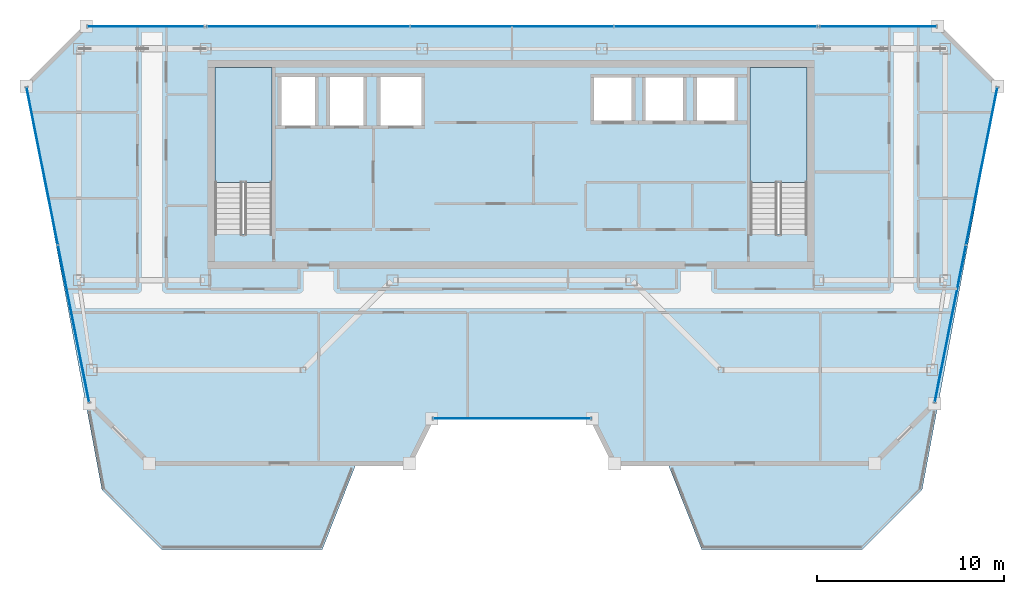
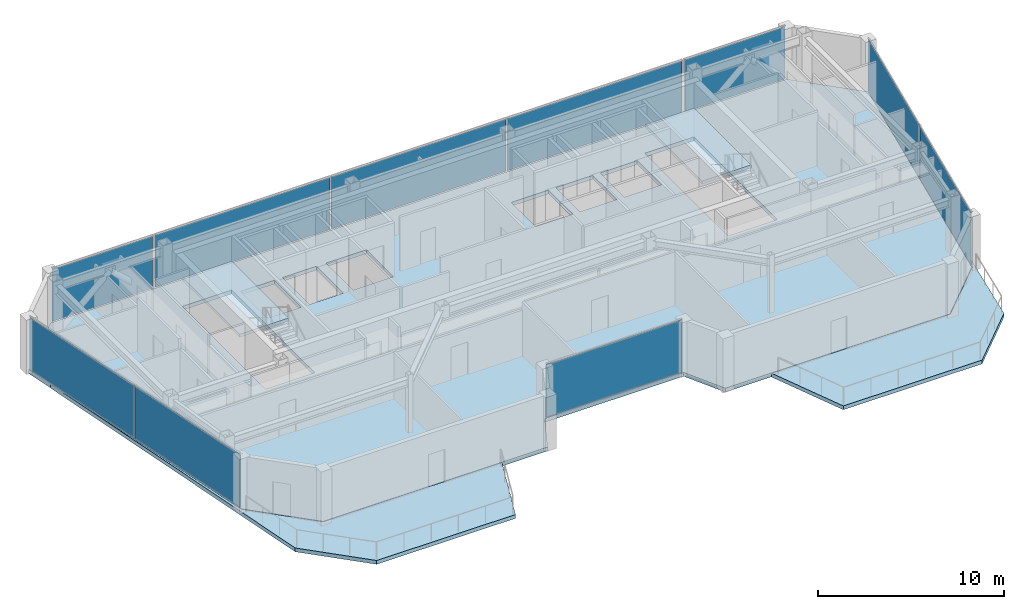
# One storey, part 13 of 20: 10 plates, 5 slabs, 8 elements without a shape of their own.
"""IFC4 building model written with IfcOpenShell, lengths in metres."""

from ifc_helpers import new_model, si_unit, direction, frame, origin, origin_2d, place, context, subcontext, project, spatial, polyline, rectangle, outline, extrude, material, layer, layer_set, type_object, element, aggregate, save


model = new_model("IFC4")

# Units and contexts
model_context = context("Model", 3, precision=1e-05, world=origin(), true_north=direction((0.0, 1.0)))
body_context = subcontext(model_context, "Body", "Model", "MODEL_VIEW")
ifc_project = project(units=[si_unit("LENGTHUNIT", "METRE"), si_unit("AREAUNIT", "SQUARE_METRE"), si_unit("VOLUMEUNIT", "CUBIC_METRE"), si_unit("PLANEANGLEUNIT", "RADIAN"), si_unit("MASSUNIT", "GRAM", prefix="KILO")], contexts=[model_context])

# Site, building, storey
site_placement = place(None, origin())
site = spatial("IfcSite", under=ifc_project, at=site_placement, CompositionType="ELEMENT")
building_placement = place(site_placement, origin())
building = spatial("IfcBuilding", under=site, at=building_placement, Name="Saevonmaru Cultural Tower", CompositionType="ELEMENT")
storey_placement = place(building_placement, frame((0.0, 0.0, 295.199951171875)))
storey = spatial("IfcBuildingStorey", under=building, at=storey_placement, Name="L70", CompositionType="ELEMENT", Elevation=295.199951171875)

# Curtain wall, plate
ifc_material_1 = material(Name="Satin Bronze Anodised Aluminium", Category="aluminium")
curtain_wall_type = type_object("IfcCurtainWallType", Name="CW-TYP-B", PredefinedType="NOTDEFINED", material=ifc_material_1)
curtain_wall_1_placement = place(storey_placement, origin())
curtain_wall_1 = element("IfcCurtainWall", 1, at=curtain_wall_1_placement, inside=storey, type_object=curtain_wall_type, Name="L70 Unitised Curtain Wall E4", PredefinedType="NOTDEFINED")
ifc_material_2 = material(Name="Triple Silver Low-E Insulating Glass", Category="glass")
ifc_layer_1 = layer(ifc_material_2, 0.035888671875, Name="Triple Silver Low-E Insulating Glass")
ifc_layer_set_1 = layer_set([ifc_layer_1], Name="Triple Silver Low-E Insulating Glass")
plate_type_1 = type_object("IfcPlateType", Name="PN-GLZ-IGU", PredefinedType="CURTAIN_PANEL", material=ifc_layer_set_1)
plate_1_placement = place(storey_placement, frame((30.0, 35.0, 0.067138671875), z_axis=(0.0, 0.0, 1.0), x_axis=(1.0, 0.0, 0.0)))
plate_1 = element("IfcPlate", 2, at=plate_1_placement, type_object=plate_type_1, Name="CW-TW-L70-E4 panel 1.1", PredefinedType="CURTAIN_PANEL", context=body_context, shape_type="SweptSolid", body=[
    extrude(rectangle(XDim=8.410888671875, YDim=0.035888671875, at=origin_2d()), origin(), (0.0, 0.0, 1.0), 3.416015625),
])
aggregate(curtain_wall_1, [plate_1])

# Curtain wall, plates
curtain_wall_2_placement = place(storey_placement, origin())
curtain_wall_2 = element("IfcCurtainWall", 3, at=curtain_wall_2_placement, inside=storey, type_object=curtain_wall_type, Name="L70 Unitised Curtain Wall E8", PredefinedType="NOTDEFINED")
plate_2_placement = place(storey_placement, frame((53.470947265625, 40.079345703125, 0.067138671875), z_axis=(0.0, 0.0, 1.0), x_axis=(0.195005484813, 0.980802151758, 0.0)))
plate_2 = element("IfcPlate", 4, at=plate_2_placement, type_object=plate_type_1, Name="CW-TW-L70-E8 panel 1.1", PredefinedType="CURTAIN_PANEL", context=body_context, shape_type="SweptSolid", body=[
    extrude(rectangle(XDim=8.537353515625, YDim=0.035888671875, at=origin_2d()), origin(), (0.0, 0.0, 1.0), 3.416015625),
])
plate_3_placement = place(storey_placement, frame((55.149169921875, 48.5205078125, 0.067138671875), z_axis=(0.0, 0.0, 1.0), x_axis=(0.195005484813, 0.980802151758, 0.0)))
plate_3 = element("IfcPlate", 5, at=plate_3_placement, type_object=plate_type_1, Name="CW-TW-L70-E8 panel 2.1", PredefinedType="CURTAIN_PANEL", context=body_context, shape_type="SweptSolid", body=[
    extrude(rectangle(XDim=8.537353515625, YDim=0.035888671875, at=origin_2d()), origin(), (0.0, 0.0, 1.0), 3.416015625),
])
aggregate(curtain_wall_2, [plate_2, plate_3])

curtain_wall_3_placement = place(storey_placement, origin())
curtain_wall_3 = element("IfcCurtainWall", 6, at=curtain_wall_3_placement, inside=storey, type_object=curtain_wall_type, Name="L70 North Spine Unitised Curtain Wall E10B", PredefinedType="NOTDEFINED")
plate_4_placement = place(storey_placement, frame((40.893310546875, 56.0, 0.067138671875), z_axis=(0.0, 0.0, 1.0), x_axis=(-1.0, 0.0, 0.0)))
plate_4 = element("IfcPlate", 7, at=plate_4_placement, type_object=plate_type_1, Name="CW-TW-L70-E10B panel 1.1", PredefinedType="CURTAIN_PANEL", context=body_context, shape_type="SweptSolid", body=[
    extrude(rectangle(XDim=10.82421875, YDim=0.035888671875, at=origin_2d()), origin(), (0.0, 0.0, 1.0), 3.416015625),
])
plate_5_placement = place(storey_placement, frame((30.0, 56.0, 0.067138671875), z_axis=(0.0, 0.0, 1.0), x_axis=(-1.0, 0.0, 0.0)))
plate_5 = element("IfcPlate", 8, at=plate_5_placement, type_object=plate_type_1, Name="CW-TW-L70-E10B panel 2.1", PredefinedType="CURTAIN_PANEL", context=body_context, shape_type="SweptSolid", body=[
    extrude(rectangle(XDim=10.82421875, YDim=0.035888671875, at=origin_2d()), origin(), (0.0, 0.0, 1.0), 3.416015625),
])
plate_6_placement = place(storey_placement, frame((19.106689453125, 56.0, 0.067138671875), z_axis=(0.0, 0.0, 1.0), x_axis=(-1.0, 0.0, 0.0)))
plate_6 = element("IfcPlate", 9, at=plate_6_placement, type_object=plate_type_1, Name="CW-TW-L70-E10B panel 3.1", PredefinedType="CURTAIN_PANEL", context=body_context, shape_type="SweptSolid", body=[
    extrude(rectangle(XDim=10.82421875, YDim=0.035888671875, at=origin_2d()), origin(), (0.0, 0.0, 1.0), 3.416015625),
])
aggregate(curtain_wall_3, [plate_4, plate_5, plate_6])

curtain_wall_4_placement = place(storey_placement, origin())
curtain_wall_4 = element("IfcCurtainWall", 10, at=curtain_wall_4_placement, inside=storey, type_object=curtain_wall_type, Name="L70 Unitised Curtain Wall E12", PredefinedType="NOTDEFINED")
plate_7_placement = place(storey_placement, frame((4.850830078125, 48.5205078125, 0.067138671875), z_axis=(0.0, 0.0, 1.0), x_axis=(0.195005484813, -0.980802151758, 0.0)))
plate_7 = element("IfcPlate", 11, at=plate_7_placement, type_object=plate_type_1, Name="CW-TW-L70-E12 panel 1.1", PredefinedType="CURTAIN_PANEL", context=body_context, shape_type="SweptSolid", body=[
    extrude(rectangle(XDim=8.537353515625, YDim=0.035888671875, at=origin_2d()), origin(), (0.0, 0.0, 1.0), 3.416015625),
])
plate_8_placement = place(storey_placement, frame((6.529052734375, 40.079345703125, 0.067138671875), z_axis=(0.0, 0.0, 1.0), x_axis=(0.195005484813, -0.980802151758, 0.0)))
plate_8 = element("IfcPlate", 12, at=plate_8_placement, type_object=plate_type_1, Name="CW-TW-L70-E12 panel 2.1", PredefinedType="CURTAIN_PANEL", context=body_context, shape_type="SweptSolid", body=[
    extrude(rectangle(XDim=8.537353515625, YDim=0.035888671875, at=origin_2d()), origin(), (0.0, 0.0, 1.0), 3.416015625),
])
aggregate(curtain_wall_4, [plate_7, plate_8])

# Curtain wall, plate
curtain_wall_5_placement = place(storey_placement, origin())
curtain_wall_5 = element("IfcCurtainWall", 13, at=curtain_wall_5_placement, inside=storey, type_object=curtain_wall_type, Name="L70 East Braced Bay Spandrel Curtain Wall E10A", PredefinedType="NOTDEFINED")
ifc_material_3 = material(Name="Insulated Satin Bronze Aluminium Spandrel Panel", Category="aluminium")
ifc_layer_2 = layer(ifc_material_3, 0.0400390625, Name="Insulated Satin Bronze Aluminium Spandrel Panel")
ifc_layer_set_2 = layer_set([ifc_layer_2], Name="Insulated Satin Bronze Aluminium Spandrel Panel")
plate_type_2 = type_object("IfcPlateType", Name="PN-SPANDREL-BRONZE", PredefinedType="CURTAIN_PANEL", material=ifc_layer_set_2)
plate_9_placement = place(storey_placement, frame((49.60009765625, 56.0, 0.067138671875), z_axis=(0.0, 0.0, 1.0), x_axis=(-1.0, 0.0, 0.0)))
plate_9 = element("IfcPlate", 14, at=plate_9_placement, type_object=plate_type_2, Name="CW-TW-L70-E10A panel 1.1", PredefinedType="CURTAIN_PANEL", context=body_context, shape_type="SweptSolid", body=[
    extrude(rectangle(XDim=6.2109375, YDim=0.035888671875, at=origin_2d()), origin(), (0.0, 0.0, 1.0), 3.416015625),
])
aggregate(curtain_wall_5, [plate_9])

curtain_wall_6_placement = place(storey_placement, origin())
curtain_wall_6 = element("IfcCurtainWall", 15, at=curtain_wall_6_placement, inside=storey, type_object=curtain_wall_type, Name="L70 West Braced Bay Spandrel Curtain Wall E10C", PredefinedType="NOTDEFINED")
plate_10_placement = place(storey_placement, frame((10.39990234375, 56.0, 0.067138671875), z_axis=(0.0, 0.0, 1.0), x_axis=(-1.0, 0.0, 0.0)))
plate_10 = element("IfcPlate", 16, at=plate_10_placement, type_object=plate_type_2, Name="CW-TW-L70-E10C panel 1.1", PredefinedType="CURTAIN_PANEL", context=body_context, shape_type="SweptSolid", body=[
    extrude(rectangle(XDim=6.2109375, YDim=0.035888671875, at=origin_2d()), origin(), (0.0, 0.0, 1.0), 3.416015625),
])
aggregate(curtain_wall_6, [plate_10])

# Slab
ifc_material_4 = material(Name="Concrete C40/50", Category="concrete")
ifc_layer_3 = layer(ifc_material_4, 0.25, Name="Concrete C40/50")
ifc_layer_set_3 = layer_set([ifc_layer_3], Name="Concrete C40/50")
slab_type_1 = type_object("IfcSlabType", Name="SL-FLR-250", PredefinedType="FLOOR", material=ifc_layer_set_3)
slab_1_placement = place(storey_placement, frame((0.0, 0.0, -0.25)))
element("IfcSlab", 17, at=slab_1_placement, inside=storey, type_object=slab_type_1, Name="L70 Tower Structural Floor Slab", PredefinedType="FLOOR", context=body_context, shape_type="SweptSolid", body=[
    extrude(outline(polyline([(7.3798828125, 35.800048828125), (10.580078125, 32.60009765625), (24.5, 32.60009765625), (25.699951171875, 35.0), (34.300048828125, 35.0), (35.5, 32.60009765625), (49.419921875, 32.60009765625), (52.6201171875, 35.800048828125), (56.0, 52.800048828125), (52.800048828125, 56.0), (7.199951171875, 56.0), (4.0, 52.800048828125), (7.3798828125, 35.800048828125)]), holes=[polyline([(45.800048828125, 53.800048828125), (45.800048828125, 44.875), (42.75, 44.875), (42.75, 53.800048828125), (45.800048828125, 53.800048828125)]), polyline([(42.050048828125, 50.800048828125), (39.75, 50.800048828125), (39.75, 53.39990234375), (42.050048828125, 53.39990234375), (42.050048828125, 50.800048828125)]), polyline([(39.300048828125, 50.800048828125), (37.0, 50.800048828125), (37.0, 53.39990234375), (39.300048828125, 53.39990234375), (39.300048828125, 50.800048828125)]), polyline([(36.550048828125, 50.800048828125), (34.25, 50.800048828125), (34.25, 53.39990234375), (36.550048828125, 53.39990234375), (36.550048828125, 50.800048828125)]), polyline([(25.300048828125, 50.550048828125), (22.800048828125, 50.550048828125), (22.800048828125, 53.449951171875), (25.300048828125, 53.449951171875), (25.300048828125, 50.550048828125)]), polyline([(22.199951171875, 50.550048828125), (20.10009765625, 50.550048828125), (20.10009765625, 53.449951171875), (22.199951171875, 53.449951171875), (22.199951171875, 50.550048828125)]), polyline([(19.60009765625, 50.550048828125), (17.5, 50.550048828125), (17.5, 53.449951171875), (19.60009765625, 53.449951171875), (19.60009765625, 50.550048828125)]), polyline([(17.14990234375, 53.800048828125), (17.14990234375, 44.875), (14.10009765625, 44.875), (14.10009765625, 53.800048828125), (17.14990234375, 53.800048828125)])]), origin(), (0.0, 0.0, 1.0), 0.25),
])

# Stair, slab
stair_type = type_object("IfcStairType", Name="STR-DOGLEG-RC", PredefinedType="HALF_TURN_STAIR", material=ifc_material_4)
stair_1_placement = place(storey_placement, origin())
stair_1 = element("IfcStair", 18, at=stair_1_placement, inside=storey, type_object=stair_type, Name="L70 Protected exit stair ST-1", PredefinedType="HALF_TURN_STAIR")
ifc_layer_4 = layer(ifc_material_4, 0.199951171875, Name="Concrete C40/50")
ifc_layer_set_4 = layer_set([ifc_layer_4], Name="Concrete C40/50")
slab_type_2 = type_object("IfcSlabType", Name="SL-STAIR-LANDING", PredefinedType="LANDING", material=ifc_layer_set_4)
slab_2_placement = place(storey_placement, frame((0.0, 0.0, 1.699951171875)))
slab_2 = element("IfcSlab", 19, at=slab_2_placement, type_object=slab_type_2, Name="ST-1-L70 landing 1", PredefinedType="LANDING", context=body_context, shape_type="SweptSolid", body=[
    extrude(outline(polyline([(17.14990234375, 47.64990234375), (17.14990234375, 53.800048828125), (14.10009765625, 53.800048828125), (14.10009765625, 47.64990234375), (17.14990234375, 47.64990234375)])), origin(), (0.0, 0.0, 1.0), 0.2001953125),
])
aggregate(stair_1, [slab_2])

stair_2_placement = place(storey_placement, origin())
stair_2 = element("IfcStair", 20, at=stair_2_placement, inside=storey, type_object=stair_type, Name="L70 Protected exit stair ST-2", PredefinedType="HALF_TURN_STAIR")
slab_3_placement = place(storey_placement, frame((0.0, 0.0, 1.699951171875)))
slab_3 = element("IfcSlab", 21, at=slab_3_placement, type_object=slab_type_2, Name="ST-2-L70 landing 1", PredefinedType="LANDING", context=body_context, shape_type="SweptSolid", body=[
    extrude(outline(polyline([(45.800048828125, 47.64990234375), (45.800048828125, 53.800048828125), (42.75, 53.800048828125), (42.75, 47.64990234375), (45.800048828125, 47.64990234375)])), origin(), (0.0, 0.0, 1.0), 0.2001953125),
])
aggregate(stair_2, [slab_3])

# Slabs
ifc_layer_5 = layer(ifc_material_4, 0.25, Name="Concrete C40/50")
ifc_layer_set_5 = layer_set([ifc_layer_5], Name="Concrete C40/50")
slab_type_3 = type_object("IfcSlabType", Name="SL-TERR-250", PredefinedType="FLOOR", material=ifc_layer_set_5)
slab_4_placement = place(storey_placement, frame((0.0, 0.0, -0.25)))
element("IfcSlab", 22, at=slab_4_placement, inside=storey, type_object=slab_type_3, Name="L70 Sawtooth Setback Roof Terrace 1", PredefinedType="FLOOR", context=body_context, shape_type="SweptSolid", body=[
    extrude(outline(polyline([(21.65234375, 32.580078125), (10.580078125, 32.580078125), (10.577880859375, 32.580078125), (10.576171875, 32.580322265625), (10.57421875, 32.580810546875), (10.572265625, 32.58154296875), (10.570556640625, 32.58251953125), (10.56884765625, 32.58349609375), (10.5673828125, 32.58447265625), (10.56591796875, 32.5859375), (7.365966796875, 35.785888671875), (7.364501953125, 35.787353515625), (7.36328125, 35.788818359375), (7.3623046875, 35.79052734375), (7.361572265625, 35.792236328125), (7.36083984375, 35.794189453125), (7.3603515625, 35.796142578125), (4.32958984375, 51.03955078125), (8.04443359375, 31.199951171875), (11.244384765625, 28.0), (19.844482421875, 28.0), (21.65234375, 32.580078125)])), origin(), (0.0, 0.0, 1.0), 0.25),
])
slab_5_placement = place(storey_placement, frame((0.0, 0.0, -0.25)))
element("IfcSlab", 23, at=slab_5_placement, inside=storey, type_object=slab_type_3, Name="L70 Sawtooth Setback Roof Terrace 2", PredefinedType="FLOOR", context=body_context, shape_type="SweptSolid", body=[
    extrude(outline(polyline([(55.67041015625, 51.03955078125), (52.6396484375, 35.796142578125), (52.63916015625, 35.794189453125), (52.638427734375, 35.792236328125), (52.6376953125, 35.79052734375), (52.63671875, 35.788818359375), (52.635498046875, 35.787353515625), (52.634033203125, 35.785888671875), (49.43408203125, 32.5859375), (49.4326171875, 32.58447265625), (49.43115234375, 32.58349609375), (49.429443359375, 32.58251953125), (49.427734375, 32.58154296875), (49.42578125, 32.580810546875), (49.423828125, 32.580322265625), (49.422119140625, 32.580078125), (49.419921875, 32.580078125), (38.34765625, 32.580078125), (40.155517578125, 28.0), (48.755615234375, 28.0), (51.95556640625, 31.199951171875), (55.67041015625, 51.03955078125)])), origin(), (0.0, 0.0, 1.0), 0.25),
])

save(model, "model.ifc")
